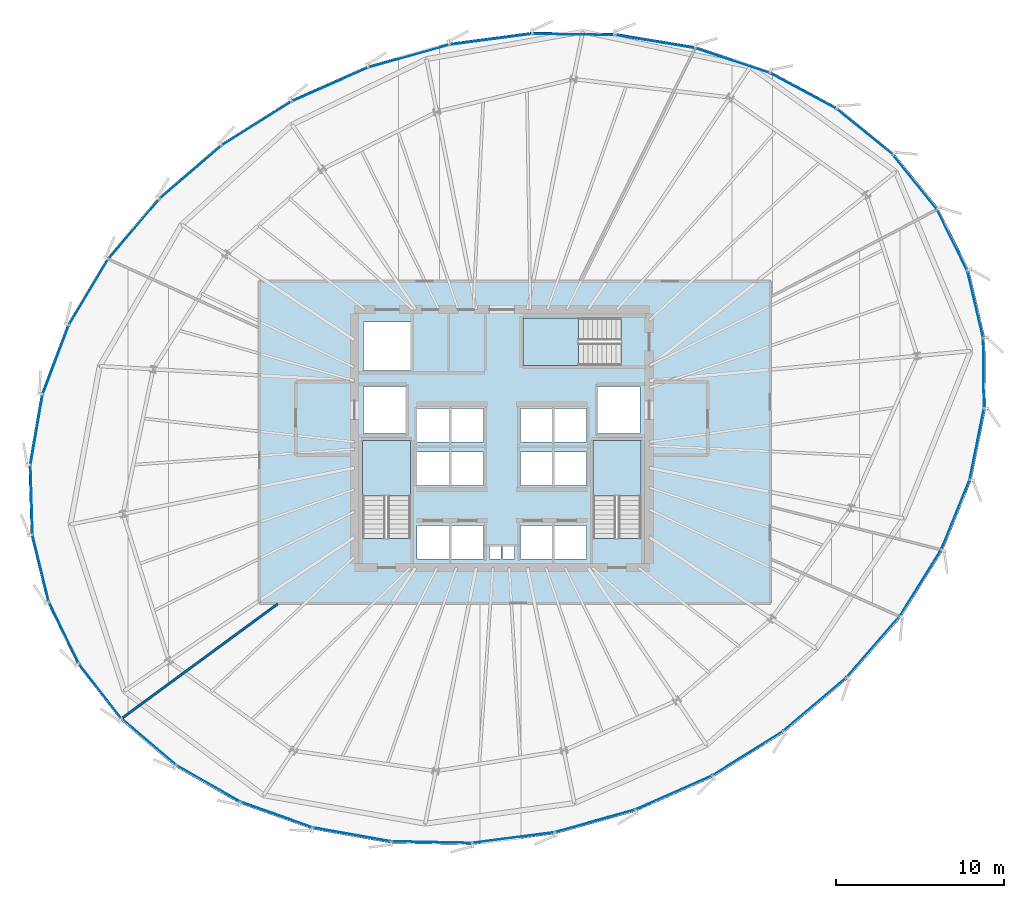
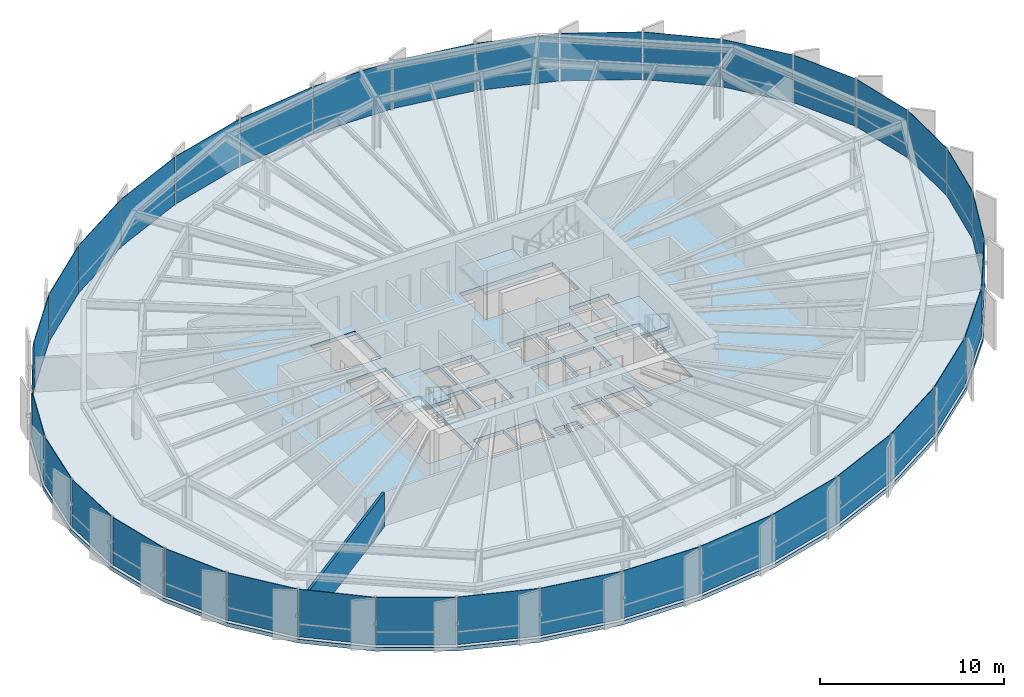
# One storey, part 26 of 33: 36 plates, 4 slabs, 1 wall, 9 elements without a shape of their own.
"""IFC4 building model written with IfcOpenShell, lengths in metres."""

from ifc_helpers import new_model, si_unit, direction, frame, frame_2d, origin, origin_2d, place, context, subcontext, project, spatial, polyline, rectangle, outline, extrude, source, transform, mapped, material, layer, layer_set, type_object, element, aggregate, save


model = new_model("IFC4")

# Units and contexts
model_context = context("Model", 3, precision=1e-05, world=origin(), true_north=direction((0.0, 1.0)))
body_context = subcontext(model_context, "Body", "Model", "MODEL_VIEW")
ifc_project = project(units=[si_unit("LENGTHUNIT", "METRE"), si_unit("AREAUNIT", "SQUARE_METRE"), si_unit("VOLUMEUNIT", "CUBIC_METRE"), si_unit("PLANEANGLEUNIT", "RADIAN"), si_unit("MASSUNIT", "GRAM", prefix="KILO"), si_unit("THERMODYNAMICTEMPERATUREUNIT", "KELVIN")], contexts=[model_context])

# Site, building, storey
site_placement = place(None, origin())
site = spatial("IfcSite", under=ifc_project, at=site_placement, CompositionType="ELEMENT")
building_placement = place(site_placement, origin())
building = spatial("IfcBuilding", under=site, at=building_placement, Name="Kethvar Cultural Tower", CompositionType="ELEMENT")
storey_placement = place(building_placement, frame((0.0, 0.0, 114.39990234375)))
storey = spatial("IfcBuildingStorey", under=building, at=storey_placement, Name="L28", CompositionType="ELEMENT", Elevation=114.39990234375)

# Stair, slab
ifc_material_1 = material(Name="Concrete C40/50", Category="concrete")
stair_type = type_object("IfcStairType", Name="ST-DOGLEG-135", PredefinedType="HALF_TURN_STAIR", material=ifc_material_1)
stair_1_placement = place(storey_placement, origin())
stair_1 = element("IfcStair", 1, at=stair_1_placement, inside=storey, type_object=stair_type, Name="L28 Core Exit Stair 1", PredefinedType="HALF_TURN_STAIR")
ifc_layer_1 = layer(ifc_material_1, 0.199951171875, Name="Concrete C40/50", Category="concrete")
ifc_layer_set_1 = layer_set([ifc_layer_1], Name="Concrete C40/50 (200 mm)")
slab_type_1 = type_object("IfcSlabType", Name="SL-STAIR-LANDING-200", PredefinedType="LANDING", material=ifc_layer_set_1)
slab_1_placement = place(storey_placement, frame((0.0, 0.0, 1.60009765625)))
slab_1 = element("IfcSlab", 2, at=slab_1_placement, type_object=slab_type_1, Name="ST-01 landing 1", PredefinedType="LANDING", context=body_context, shape_type="SweptSolid", body=[
    extrude(outline(polyline([(41.35009765625, 24.3701171875), (41.35009765625, 27.699951171875), (38.489990234375, 27.699951171875), (38.489990234375, 24.3701171875), (41.35009765625, 24.3701171875)])), origin(), (0.0, 0.0, 1.0), 0.199951171875),
])
aggregate(stair_1, [slab_1])

stair_2_placement = place(storey_placement, origin())
stair_2 = element("IfcStair", 3, at=stair_2_placement, inside=storey, type_object=stair_type, Name="L28 Core Exit Stair 2", PredefinedType="HALF_TURN_STAIR")
slab_2_placement = place(storey_placement, frame((0.0, 0.0, 1.60009765625)))
slab_2 = element("IfcSlab", 4, at=slab_2_placement, type_object=slab_type_1, Name="ST-02 landing 1", PredefinedType="LANDING", context=body_context, shape_type="SweptSolid", body=[
    extrude(outline(polyline([(55.110107421875, 24.3701171875), (55.110107421875, 27.699951171875), (52.25, 27.699951171875), (52.25, 24.3701171875), (55.110107421875, 24.3701171875)])), origin(), (0.0, 0.0, 1.0), 0.199951171875),
])
aggregate(stair_2, [slab_2])

stair_3_placement = place(storey_placement, origin())
stair_3 = element("IfcStair", 5, at=stair_3_placement, inside=storey, type_object=stair_type, Name="L28 Core Exit Stair 3", PredefinedType="HALF_TURN_STAIR")
slab_3_placement = place(storey_placement, frame((0.0, 0.0, 1.60009765625)))
slab_3 = element("IfcSlab", 6, at=slab_3_placement, type_object=slab_type_1, Name="ST-03 landing 1", PredefinedType="LANDING", context=body_context, shape_type="SweptSolid", body=[
    extrude(outline(polyline([(51.3798828125, 35.010009765625), (48.050048828125, 35.010009765625), (48.050048828125, 32.14990234375), (51.3798828125, 32.14990234375), (51.3798828125, 35.010009765625)])), origin(), (0.0, 0.0, 1.0), 0.199951171875),
])
aggregate(stair_3, [slab_3])

# Slab
ifc_layer_2 = layer(ifc_material_1, 0.25, Name="Concrete C40/50", Category="concrete")
ifc_layer_set_2 = layer_set([ifc_layer_2], Name="Concrete C40/50 (250 mm)")
slab_type_2 = type_object("IfcSlabType", Name="SL-TOW-250", PredefinedType="FLOOR", material=ifc_layer_set_2)
slab_4_placement = place(storey_placement, frame((0.0, 0.0, -0.25)))
element("IfcSlab", 7, at=slab_4_placement, inside=storey, type_object=slab_type_2, Name="L28 Structural Floor Slab", PredefinedType="FLOOR", context=body_context, shape_type="SweptSolid", body=[
    extrude(outline(polyline([(74.69580078125, 37.843017578125), (72.864013671875, 41.54833984375), (70.210693359375, 44.8251953125), (66.826416015625, 47.57763671875), (62.830078125, 49.727783203125), (58.35986328125, 51.216552734375), (53.56689453125, 52.004150390625), (48.607177734375, 52.0703125), (43.633544921875, 51.41357421875), (38.7890625, 50.05126953125), (34.197509765625, 48.016357421875), (29.98876953125, 45.3671875), (26.290771484375, 42.18408203125), (23.216064453125, 38.564208984375), (20.85791015625, 34.616943359375), (19.287841796875, 30.462646484375), (18.553955078125, 26.2275390625), (18.677978515625, 22.040283203125), (19.65673828125, 18.02783203125), (21.460205078125, 14.3125), (24.03369140625, 11.0068359375), (27.298828125, 8.21142578125), (31.156494140625, 6.01123046875), (35.489501953125, 4.47314453125), (40.166015625, 3.643798828125), (45.044189453125, 3.54833984375), (49.975830078125, 4.18994140625), (54.810791015625, 5.548583984375), (59.412109375, 7.587158203125), (63.662841796875, 10.25146484375), (67.4423828125, 13.4638671875), (70.63330078125, 17.125732421875), (73.12890625, 21.122314453125), (74.83740234375, 25.326416015625), (75.6904296875, 29.6044921875), (75.646240234375, 33.820556640625), (74.69580078125, 37.843017578125)]), holes=[polyline([(38.489990234375, 21.85009765625), (38.489990234375, 27.699951171875), (41.35009765625, 27.699951171875), (41.35009765625, 21.85009765625), (38.489990234375, 21.85009765625)]), polyline([(52.25, 21.85009765625), (52.25, 27.699951171875), (55.110107421875, 27.699951171875), (55.110107421875, 21.85009765625), (52.25, 21.85009765625)]), polyline([(53.89990234375, 32.14990234375), (48.050048828125, 32.14990234375), (48.050048828125, 35.010009765625), (53.89990234375, 35.010009765625), (53.89990234375, 32.14990234375)]), polyline([(41.75, 22.60009765625), (43.64990234375, 22.60009765625), (43.64990234375, 20.60009765625), (41.75, 20.60009765625), (41.75, 22.60009765625)]), polyline([(43.800048828125, 22.60009765625), (45.699951171875, 22.60009765625), (45.699951171875, 20.60009765625), (43.800048828125, 20.60009765625), (43.800048828125, 22.60009765625)]), polyline([(47.89990234375, 22.60009765625), (49.800048828125, 22.60009765625), (49.800048828125, 20.60009765625), (47.89990234375, 20.60009765625), (47.89990234375, 22.60009765625)]), polyline([(49.949951171875, 22.60009765625), (51.85009765625, 22.60009765625), (51.85009765625, 20.60009765625), (49.949951171875, 20.60009765625), (49.949951171875, 22.60009765625)]), polyline([(41.75, 27.0), (43.64990234375, 27.0), (43.64990234375, 25.0), (41.75, 25.0), (41.75, 27.0)]), polyline([(43.800048828125, 27.0), (45.699951171875, 27.0), (45.699951171875, 25.0), (43.800048828125, 25.0), (43.800048828125, 27.0)]), polyline([(47.89990234375, 27.0), (49.800048828125, 27.0), (49.800048828125, 25.0), (47.89990234375, 25.0), (47.89990234375, 27.0)]), polyline([(49.949951171875, 27.0), (51.85009765625, 27.0), (51.85009765625, 25.0), (49.949951171875, 25.0), (49.949951171875, 27.0)]), polyline([(41.75, 29.60009765625), (43.64990234375, 29.60009765625), (43.64990234375, 27.60009765625), (41.75, 27.60009765625), (41.75, 29.60009765625)]), polyline([(43.800048828125, 29.60009765625), (45.699951171875, 29.60009765625), (45.699951171875, 27.60009765625), (43.800048828125, 27.60009765625), (43.800048828125, 29.60009765625)]), polyline([(47.89990234375, 29.60009765625), (49.800048828125, 29.60009765625), (49.800048828125, 27.60009765625), (47.89990234375, 27.60009765625), (47.89990234375, 29.60009765625)]), polyline([(49.949951171875, 29.60009765625), (51.85009765625, 29.60009765625), (51.85009765625, 27.60009765625), (49.949951171875, 27.60009765625), (49.949951171875, 29.60009765625)]), polyline([(38.550048828125, 30.89990234375), (41.050048828125, 30.89990234375), (41.050048828125, 28.10009765625), (38.550048828125, 28.10009765625), (38.550048828125, 30.89990234375)]), polyline([(52.550048828125, 30.89990234375), (55.050048828125, 30.89990234375), (55.050048828125, 28.10009765625), (52.550048828125, 28.10009765625), (52.550048828125, 30.89990234375)]), polyline([(38.550048828125, 34.75), (41.35009765625, 34.75), (41.35009765625, 31.85009765625), (38.550048828125, 31.85009765625), (38.550048828125, 34.75)]), polyline([(46.050048828125, 21.35009765625), (46.75, 21.35009765625), (46.75, 20.60009765625), (46.050048828125, 20.60009765625), (46.050048828125, 21.35009765625)]), polyline([(46.85009765625, 21.35009765625), (47.550048828125, 21.35009765625), (47.550048828125, 20.60009765625), (46.85009765625, 20.60009765625), (46.85009765625, 21.35009765625)])]), origin(), (0.0, 0.0, 1.0), 0.25),
])

# Curtain wall, plate
ifc_material_2 = material(Name="Aluminium 6063-T6", Category="aluminium")
ifc_layer_3 = layer(ifc_material_2, 0.179931640625, Name="Aluminium 6063-T6", Category="aluminium")
ifc_layer_set_3 = layer_set([ifc_layer_3], Name="Aluminium 6063-T6 (180 mm)")
curtain_wall_type = type_object("IfcCurtainWallType", Name="CW-SYS-03-Z2", PredefinedType="NOTDEFINED", material=ifc_layer_set_3)
curtain_wall_1_placement = place(storey_placement, origin())
curtain_wall_1 = element("IfcCurtainWall", 8, at=curtain_wall_1_placement, inside=storey, type_object=curtain_wall_type, Name="L28 Curtain Wall Run 01", PredefinedType="NOTDEFINED")
ifc_material_3 = material(Name="Insulated Low-E Solar Glass", Category="glass")
ifc_layer_4 = layer(ifc_material_3, 0.031982421875, Name="Insulated Low-E Solar Glass", Category="glass")
ifc_layer_set_4 = layer_set([ifc_layer_4], Name="Insulated Low-E Solar Glass (32 mm)")
plate_type = type_object("IfcPlateType", Name="CW-SYS-03-Z2-PNL", PredefinedType="CURTAIN_PANEL", material=ifc_layer_set_4)
shared_shape_1 = source(origin(), body_context, "Body", "SweptSolid", [
    extrude(rectangle(XDim=4.27587890625, YDim=0.031982421875, at=origin_2d()), origin(), (0.0, 0.0, 1.0), 3.14990234375),
])
plate_1_placement = place(storey_placement, frame((68.446044921875, 46.112060546875, 0.10009765625), z_axis=(0.0, 0.0, 1.0), x_axis=(-0.775771148967, 0.631014361508, 0.0)))
plate_1 = element("IfcPlate", 9, at=plate_1_placement, type_object=plate_type, Name="CW-L28-R01 Vision Glazing Panel 3", PredefinedType="CURTAIN_PANEL", context=body_context, shape_type="MappedRepresentation", body=[
    mapped(shared_shape_1, transform((0.0, 0.0, 0.0), scale=1.0)),
])

curtain_wall_2_placement = place(storey_placement, origin())
curtain_wall_2 = element("IfcCurtainWall", 10, at=curtain_wall_2_placement, inside=storey, type_object=curtain_wall_type, Name="L28 Curtain Wall Run 02", PredefinedType="NOTDEFINED")
shared_shape_2 = source(origin(), body_context, "Body", "SweptSolid", [
    extrude(rectangle(XDim=4.93603515625, YDim=0.031982421875, at=origin_2d()), origin(), (0.0, 0.0, 1.0), 3.14990234375),
])
plate_2_placement = place(storey_placement, frame((36.539794921875, 48.9287109375, 0.10009765625), z_axis=(0.0, 0.0, 1.0), x_axis=(-0.914239812568, -0.405173500016, 0.0)))
plate_2 = element("IfcPlate", 11, at=plate_2_placement, type_object=plate_type, Name="CW-L28-R02 Vision Glazing Panel 4", PredefinedType="CURTAIN_PANEL", context=body_context, shape_type="MappedRepresentation", body=[
    mapped(shared_shape_2, transform((0.0, 0.0, 0.0), scale=1.0)),
])

# Plate
shared_shape_3 = source(origin(), body_context, "Body", "SweptSolid", [
    extrude(rectangle(XDim=4.046875, YDim=0.031982421875, at=origin_2d()), origin(), (0.0, 0.0, 1.0), 3.14990234375),
])
plate_3_placement = place(storey_placement, frame((73.677001953125, 39.644775390625, 0.10009765625), z_axis=(0.0, 0.0, 1.0), x_axis=(-0.443180713997, 0.896432292335, 0.0)))
plate_3 = element("IfcPlate", 12, at=plate_3_placement, type_object=plate_type, Name="CW-L28-R01 Vision Glazing Panel 1", PredefinedType="CURTAIN_PANEL", context=body_context, shape_type="MappedRepresentation", body=[
    mapped(shared_shape_3, transform((0.0, 0.0, 0.0), scale=1.0)),
])

# Curtain wall, plate
curtain_wall_3_placement = place(storey_placement, origin())
curtain_wall_3 = element("IfcCurtainWall", 13, at=curtain_wall_3_placement, inside=storey, type_object=curtain_wall_type, Name="L28 Curtain Wall Run 06", PredefinedType="NOTDEFINED")
plate_4_placement = place(storey_placement, frame((75.05908203125, 35.805419921875, 0.10009765625), z_axis=(0.0, 0.0, 1.0), x_axis=(-0.229947824874, 0.973202958193, 0.0)))
plate_4 = element("IfcPlate", 14, at=plate_4_placement, type_object=plate_type, Name="CW-L28-R06 Vision Glazing Panel 6", PredefinedType="CURTAIN_PANEL", context=body_context, shape_type="MappedRepresentation", body=[
    mapped(shared_shape_3, transform((0.0, 0.0, 0.0), scale=1.0)),
])

# Plate
shared_shape_4 = source(origin(), body_context, "Body", "SweptSolid", [
    extrude(rectangle(XDim=4.1298828125, YDim=0.031982421875, at=origin_2d()), origin(), (0.0, 0.0, 1.0), 3.14990234375),
])
plate_5_placement = place(storey_placement, frame((71.447998046875, 43.114501953125, 0.10009765625), z_axis=(0.0, 0.0, 1.0), x_axis=(-0.62933395471, 0.777134977626, 0.0)))
plate_5 = element("IfcPlate", 15, at=plate_5_placement, type_object=plate_type, Name="CW-L28-R01 Vision Glazing Panel 2", PredefinedType="CURTAIN_PANEL", context=body_context, shape_type="MappedRepresentation", body=[
    mapped(shared_shape_4, transform((0.0, 0.0, 0.0), scale=1.0)),
])

plate_6_placement = place(storey_placement, frame((75.553466796875, 31.711181640625, 0.10009765625), z_axis=(0.0, 0.0, 1.0), x_axis=(-0.010454331779, 0.99994535198, 0.0)))
plate_6 = element("IfcPlate", 16, at=plate_6_placement, type_object=plate_type, Name="CW-L28-R06 Vision Glazing Panel 5", PredefinedType="CURTAIN_PANEL", context=body_context, shape_type="MappedRepresentation", body=[
    mapped(shared_shape_4, transform((0.0, 0.0, 0.0), scale=1.0)),
])

shared_shape_5 = source(origin(), body_context, "Body", "SweptSolid", [
    extrude(rectangle(XDim=4.45166015625, YDim=0.031982421875, at=origin_2d()), origin(), (0.0, 0.0, 1.0), 3.14990234375),
])
plate_7_placement = place(storey_placement, frame((64.773681640625, 48.551513671875, 0.10009765625), z_axis=(0.0, 0.0, 1.0), x_axis=(-0.88062624926, 0.473811575538, 0.0)))
plate_7 = element("IfcPlate", 17, at=plate_7_placement, type_object=plate_type, Name="CW-L28-R01 Vision Glazing Panel 4", PredefinedType="CURTAIN_PANEL", context=body_context, shape_type="MappedRepresentation", body=[
    mapped(shared_shape_5, transform((0.0, 0.0, 0.0), scale=1.0)),
])

shared_shape_6 = source(origin(), body_context, "Body", "SweptSolid", [
    extrude(rectangle(XDim=4.625, YDim=0.031982421875, at=origin_2d()), origin(), (0.0, 0.0, 1.0), 3.14990234375),
])
plate_8_placement = place(storey_placement, frame((60.55859375, 50.363037109375, 0.10009765625), z_axis=(0.0, 0.0, 1.0), x_axis=(-0.948771286289, 0.315963678787, 0.0)))
plate_8 = element("IfcPlate", 18, at=plate_8_placement, type_object=plate_type, Name="CW-L28-R01 Vision Glazing Panel 5", PredefinedType="CURTAIN_PANEL", context=body_context, shape_type="MappedRepresentation", body=[
    mapped(shared_shape_6, transform((0.0, 0.0, 0.0), scale=1.0)),
])

shared_shape_7 = source(origin(), body_context, "Body", "SweptSolid", [
    extrude(rectangle(XDim=4.770751953125, YDim=0.031982421875, at=origin_2d()), origin(), (0.0, 0.0, 1.0), 3.14990234375),
])
plate_9_placement = place(storey_placement, frame((55.94482421875, 51.496826171875, 0.10009765625), z_axis=(0.0, 0.0, 1.0), x_axis=(-0.986768135885, 0.16213773775, 0.0)))
plate_9 = element("IfcPlate", 19, at=plate_9_placement, type_object=plate_type, Name="CW-L28-R01 Vision Glazing Panel 6", PredefinedType="CURTAIN_PANEL", context=body_context, shape_type="MappedRepresentation", body=[
    mapped(shared_shape_7, transform((0.0, 0.0, 0.0), scale=1.0)),
])

aggregate(curtain_wall_1, [plate_3, plate_5, plate_1, plate_7, plate_8, plate_9])

plate_10_placement = place(storey_placement, frame((68.951171875, 15.370361328125, 0.10009765625), z_axis=(0.0, 0.0, 1.0), x_axis=(0.656980590831, 0.753907489863, 0.0)))
plate_10 = element("IfcPlate", 20, at=plate_10_placement, type_object=plate_type, Name="CW-L28-R06 Vision Glazing Panel 1", PredefinedType="CURTAIN_PANEL", context=body_context, shape_type="MappedRepresentation", body=[
    mapped(shared_shape_7, transform((0.0, 0.0, 0.0), scale=1.0)),
])

shared_shape_8 = source(origin(), body_context, "Body", "SweptSolid", [
    extrude(rectangle(XDim=4.873779296875, YDim=0.031982421875, at=origin_2d()), origin(), (0.0, 0.0, 1.0), 3.14990234375),
])
plate_11_placement = place(storey_placement, frame((51.085693359375, 51.922119140625, 0.10009765625), z_axis=(0.0, 0.0, 1.0), x_axis=(-0.999911099333, 0.01333392034, 0.0)))
plate_11 = element("IfcPlate", 21, at=plate_11_placement, type_object=plate_type, Name="CW-L28-R02 Vision Glazing Panel 1", PredefinedType="CURTAIN_PANEL", context=body_context, shape_type="MappedRepresentation", body=[
    mapped(shared_shape_8, transform((0.0, 0.0, 0.0), scale=1.0)),
])

# Curtain wall, plate
curtain_wall_4_placement = place(storey_placement, origin())
curtain_wall_4 = element("IfcCurtainWall", 22, at=curtain_wall_4_placement, inside=storey, type_object=curtain_wall_type, Name="L28 Curtain Wall Run 05", PredefinedType="NOTDEFINED")
plate_12_placement = place(storey_placement, frame((65.47802734375, 11.9453125, 0.10009765625), z_axis=(0.0, 0.0, 1.0), x_axis=(0.761967989414, 0.647614687225, 0.0)))
plate_12 = element("IfcPlate", 23, at=plate_12_placement, type_object=plate_type, Name="CW-L28-R05 Vision Glazing Panel 6", PredefinedType="CURTAIN_PANEL", context=body_context, shape_type="MappedRepresentation", body=[
    mapped(shared_shape_8, transform((0.0, 0.0, 0.0), scale=1.0)),
])

# Plate
shared_shape_9 = source(origin(), body_context, "Body", "SweptSolid", [
    extrude(rectangle(XDim=4.930419921875, YDim=0.031982421875, at=origin_2d()), origin(), (0.0, 0.0, 1.0), 3.14990234375),
])
plate_13_placement = place(storey_placement, frame((46.135498046875, 51.627685546875, 0.10009765625), z_axis=(0.0, 0.0, 1.0), x_axis=(-0.991394669828, -0.130906870087, 0.0)))
plate_13 = element("IfcPlate", 24, at=plate_13_placement, type_object=plate_type, Name="CW-L28-R02 Vision Glazing Panel 2", PredefinedType="CURTAIN_PANEL", context=body_context, shape_type="MappedRepresentation", body=[
    mapped(shared_shape_9, transform((0.0, 0.0, 0.0), scale=1.0)),
])

plate_14_placement = place(storey_placement, frame((61.476318359375, 9.016845703125, 0.10009765625), z_axis=(0.0, 0.0, 1.0), x_axis=(0.847307362866, 0.531102845816, 0.0)))
plate_14 = element("IfcPlate", 25, at=plate_14_placement, type_object=plate_type, Name="CW-L28-R05 Vision Glazing Panel 5", PredefinedType="CURTAIN_PANEL", context=body_context, shape_type="MappedRepresentation", body=[
    mapped(shared_shape_9, transform((0.0, 0.0, 0.0), scale=1.0)),
])

shared_shape_10 = source(origin(), body_context, "Body", "SweptSolid", [
    extrude(rectangle(XDim=4.94580078125, YDim=0.031982421875, at=origin_2d()), origin(), (0.0, 0.0, 1.0), 3.14990234375),
])
plate_15_placement = place(storey_placement, frame((41.242431640625, 50.62158203125, 0.10009765625), z_axis=(0.0, 0.0, 1.0), x_axis=(-0.962668128417, -0.270684455649, 0.0)))
plate_15 = element("IfcPlate", 26, at=plate_15_placement, type_object=plate_type, Name="CW-L28-R02 Vision Glazing Panel 3", PredefinedType="CURTAIN_PANEL", context=body_context, shape_type="MappedRepresentation", body=[
    mapped(shared_shape_10, transform((0.0, 0.0, 0.0), scale=1.0)),
])

shared_shape_11 = source(origin(), body_context, "Body", "SweptSolid", [
    extrude(rectangle(XDim=4.88671875, YDim=0.031982421875, at=origin_2d()), origin(), (0.0, 0.0, 1.0), 3.14990234375),
])
plate_16_placement = place(storey_placement, frame((32.154296875, 46.594482421875, 0.10009765625), z_axis=(0.0, 0.0, 1.0), x_axis=(-0.846295455433, -0.532713808826, 0.0)))
plate_16 = element("IfcPlate", 27, at=plate_16_placement, type_object=plate_type, Name="CW-L28-R02 Vision Glazing Panel 5", PredefinedType="CURTAIN_PANEL", context=body_context, shape_type="MappedRepresentation", body=[
    mapped(shared_shape_11, transform((0.0, 0.0, 0.0), scale=1.0)),
])

plate_17_placement = place(storey_placement, frame((47.4951171875, 3.983154296875, 0.10009765625), z_axis=(0.0, 0.0, 1.0), x_axis=(0.991646417128, 0.128985981398, 0.0)))
plate_17 = element("IfcPlate", 28, at=plate_17_placement, type_object=plate_type, Name="CW-L28-R05 Vision Glazing Panel 2", PredefinedType="CURTAIN_PANEL", context=body_context, shape_type="MappedRepresentation", body=[
    mapped(shared_shape_11, transform((0.0, 0.0, 0.0), scale=1.0)),
])

shared_shape_12 = source(origin(), body_context, "Body", "SweptSolid", [
    extrude(rectangle(XDim=4.792724609375, YDim=0.031982421875, at=origin_2d()), origin(), (0.0, 0.0, 1.0), 3.14990234375),
])
plate_18_placement = place(storey_placement, frame((28.214599609375, 43.6884765625, 0.10009765625), z_axis=(0.0, 0.0, 1.0), x_axis=(-0.75790666473, -0.652363002904, 0.0)))
plate_18 = element("IfcPlate", 29, at=plate_18_placement, type_object=plate_type, Name="CW-L28-R02 Vision Glazing Panel 6", PredefinedType="CURTAIN_PANEL", context=body_context, shape_type="MappedRepresentation", body=[
    mapped(shared_shape_12, transform((0.0, 0.0, 0.0), scale=1.0)),
])

aggregate(curtain_wall_2, [plate_11, plate_13, plate_15, plate_2, plate_16, plate_18])

plate_19_placement = place(storey_placement, frame((42.607421875, 3.711181640625, 0.10009765625), z_axis=(0.0, 0.0, 1.0), x_axis=(0.999808950038, -0.019546442745, 0.0)))
plate_19 = element("IfcPlate", 30, at=plate_19_placement, type_object=plate_type, Name="CW-L28-R05 Vision Glazing Panel 1", PredefinedType="CURTAIN_PANEL", context=body_context, shape_type="MappedRepresentation", body=[
    mapped(shared_shape_12, transform((0.0, 0.0, 0.0), scale=1.0)),
])

# Curtain wall, plate
curtain_wall_5_placement = place(storey_placement, origin())
curtain_wall_5 = element("IfcCurtainWall", 31, at=curtain_wall_5_placement, inside=storey, type_object=curtain_wall_type, Name="L28 Curtain Wall Run 03", PredefinedType="NOTDEFINED")
shared_shape_13 = source(origin(), body_context, "Body", "SweptSolid", [
    extrude(rectangle(XDim=4.6630859375, YDim=0.031982421875, at=origin_2d()), origin(), (0.0, 0.0, 1.0), 3.14990234375),
])
plate_20_placement = place(storey_placement, frame((24.841064453125, 40.299560546875, 0.10009765625), z_axis=(0.0, 0.0, 1.0), x_axis=(-0.647361973467, -0.762182704677, 0.0)))
plate_20 = element("IfcPlate", 32, at=plate_20_placement, type_object=plate_type, Name="CW-L28-R03 Vision Glazing Panel 1", PredefinedType="CURTAIN_PANEL", context=body_context, shape_type="MappedRepresentation", body=[
    mapped(shared_shape_13, transform((0.0, 0.0, 0.0), scale=1.0)),
])

curtain_wall_6_placement = place(storey_placement, origin())
curtain_wall_6 = element("IfcCurtainWall", 33, at=curtain_wall_6_placement, inside=storey, type_object=curtain_wall_type, Name="L28 Curtain Wall Run 04", PredefinedType="NOTDEFINED")
plate_21_placement = place(storey_placement, frame((37.847900390625, 4.171630859375, 0.10009765625), z_axis=(0.0, 0.0, 1.0), x_axis=(0.984637561639, -0.174610630289, 0.0)))
plate_21 = element("IfcPlate", 34, at=plate_21_placement, type_object=plate_type, Name="CW-L28-R04 Vision Glazing Panel 6", PredefinedType="CURTAIN_PANEL", context=body_context, shape_type="MappedRepresentation", body=[
    mapped(shared_shape_13, transform((0.0, 0.0, 0.0), scale=1.0)),
])

# Plate
shared_shape_14 = source(origin(), body_context, "Body", "SweptSolid", [
    extrude(rectangle(XDim=4.51171875, YDim=0.031982421875, at=origin_2d()), origin(), (0.0, 0.0, 1.0), 3.14990234375),
])
plate_22_placement = place(storey_placement, frame((22.135498046875, 36.531494140625, 0.10009765625), z_axis=(0.0, 0.0, 1.0), x_axis=(-0.512882154152, -0.858459024038, 0.0)))
plate_22 = element("IfcPlate", 35, at=plate_22_placement, type_object=plate_type, Name="CW-L28-R03 Vision Glazing Panel 2", PredefinedType="CURTAIN_PANEL", context=body_context, shape_type="MappedRepresentation", body=[
    mapped(shared_shape_14, transform((0.0, 0.0, 0.0), scale=1.0)),
])

plate_23_placement = place(storey_placement, frame((33.361572265625, 5.3505859375, 0.10009765625), z_axis=(0.0, 0.0, 1.0), x_axis=(0.942379029091, -0.334547105099, 0.0)))
plate_23 = element("IfcPlate", 36, at=plate_23_placement, type_object=plate_type, Name="CW-L28-R04 Vision Glazing Panel 5", PredefinedType="CURTAIN_PANEL", context=body_context, shape_type="MappedRepresentation", body=[
    mapped(shared_shape_14, transform((0.0, 0.0, 0.0), scale=1.0)),
])

shared_shape_15 = source(origin(), body_context, "Body", "SweptSolid", [
    extrude(rectangle(XDim=4.3544921875, YDim=0.031982421875, at=origin_2d()), origin(), (0.0, 0.0, 1.0), 3.14990234375),
])
plate_24_placement = place(storey_placement, frame((20.180419921875, 32.499267578125, 0.10009765625), z_axis=(0.0, 0.0, 1.0), x_axis=(-0.353507496721, -0.93543169166, 0.0)))
plate_24 = element("IfcPlate", 37, at=plate_24_placement, type_object=plate_type, Name="CW-L28-R03 Vision Glazing Panel 3", PredefinedType="CURTAIN_PANEL", context=body_context, shape_type="MappedRepresentation", body=[
    mapped(shared_shape_15, transform((0.0, 0.0, 0.0), scale=1.0)),
])

plate_25_placement = place(storey_placement, frame((29.28466796875, 7.211181640625, 0.10009765625), z_axis=(0.0, 0.0, 1.0), x_axis=(0.868657455403, -0.495413186314, 0.0)))
plate_25 = element("IfcPlate", 38, at=plate_25_placement, type_object=plate_type, Name="CW-L28-R04 Vision Glazing Panel 4", PredefinedType="CURTAIN_PANEL", context=body_context, shape_type="MappedRepresentation", body=[
    mapped(shared_shape_15, transform((0.0, 0.0, 0.0), scale=1.0)),
])

shared_shape_16 = source(origin(), body_context, "Body", "SweptSolid", [
    extrude(rectangle(XDim=4.2119140625, YDim=0.031982421875, at=origin_2d()), origin(), (0.0, 0.0, 1.0), 3.14990234375),
])
plate_26_placement = place(storey_placement, frame((19.0341796875, 28.325439453125, 0.10009765625), z_axis=(0.0, 0.0, 1.0), x_axis=(-0.170759828185, -0.985312681882, 0.0)))
plate_26 = element("IfcPlate", 39, at=plate_26_placement, type_object=plate_type, Name="CW-L28-R03 Vision Glazing Panel 4", PredefinedType="CURTAIN_PANEL", context=body_context, shape_type="MappedRepresentation", body=[
    mapped(shared_shape_16, transform((0.0, 0.0, 0.0), scale=1.0)),
])

plate_27_placement = place(storey_placement, frame((25.7412109375, 9.696533203125, 0.10009765625), z_axis=(0.0, 0.0, 1.0), x_axis=(0.759634649786, -0.650350058695, 0.0)))
plate_27 = element("IfcPlate", 40, at=plate_27_placement, type_object=plate_type, Name="CW-L28-R04 Vision Glazing Panel 3", PredefinedType="CURTAIN_PANEL", context=body_context, shape_type="MappedRepresentation", body=[
    mapped(shared_shape_16, transform((0.0, 0.0, 0.0), scale=1.0)),
])

shared_shape_17 = source(origin(), body_context, "Body", "SweptSolid", [
    extrude(rectangle(XDim=4.102783203125, YDim=0.031982421875, at=origin_2d()), origin(), (0.0, 0.0, 1.0), 3.14990234375),
])
plate_28_placement = place(storey_placement, frame((18.73095703125, 24.13720703125, 0.10009765625), z_axis=(0.0, 0.0, 1.0), x_axis=(0.02964879847, -0.999560377741, 0.0)))
plate_28 = element("IfcPlate", 41, at=plate_28_placement, type_object=plate_type, Name="CW-L28-R03 Vision Glazing Panel 5", PredefinedType="CURTAIN_PANEL", context=body_context, shape_type="MappedRepresentation", body=[
    mapped(shared_shape_17, transform((0.0, 0.0, 0.0), scale=1.0)),
])

plate_29_placement = place(storey_placement, frame((22.837646484375, 12.730224609375, 0.10009765625), z_axis=(0.0, 0.0, 1.0), x_axis=(0.614298972121, -0.789073363415, 0.0)))
plate_29 = element("IfcPlate", 42, at=plate_29_placement, type_object=plate_type, Name="CW-L28-R04 Vision Glazing Panel 2", PredefinedType="CURTAIN_PANEL", context=body_context, shape_type="MappedRepresentation", body=[
    mapped(shared_shape_17, transform((0.0, 0.0, 0.0), scale=1.0)),
])

shared_shape_18 = source(origin(), body_context, "Body", "SweptSolid", [
    extrude(rectangle(XDim=4.043701171875, YDim=0.031982421875, at=origin_2d()), origin(), (0.0, 0.0, 1.0), 3.14990234375),
])
plate_30_placement = place(storey_placement, frame((19.279296875, 20.061279296875, 0.10009765625), z_axis=(0.0, 0.0, 1.0), x_axis=(0.236973797604, -0.971516041684, 0.0)))
plate_30 = element("IfcPlate", 43, at=plate_30_placement, type_object=plate_type, Name="CW-L28-R03 Vision Glazing Panel 6", PredefinedType="CURTAIN_PANEL", context=body_context, shape_type="MappedRepresentation", body=[
    mapped(shared_shape_18, transform((0.0, 0.0, 0.0), scale=1.0)),
])

aggregate(curtain_wall_5, [plate_20, plate_22, plate_24, plate_26, plate_28, plate_30])

plate_31_placement = place(storey_placement, frame((20.662109375, 16.220458984375, 0.10009765625), z_axis=(0.0, 0.0, 1.0), x_axis=(0.43667618215, -0.899618759221, 0.0)))
plate_31 = element("IfcPlate", 44, at=plate_31_placement, type_object=plate_type, Name="CW-L28-R04 Vision Glazing Panel 1", PredefinedType="CURTAIN_PANEL", context=body_context, shape_type="MappedRepresentation", body=[
    mapped(shared_shape_18, transform((0.0, 0.0, 0.0), scale=1.0)),
])

aggregate(curtain_wall_6, [plate_31, plate_29, plate_27, plate_25, plate_23, plate_21])

shared_shape_19 = source(origin(), body_context, "Body", "SweptSolid", [
    extrude(rectangle(XDim=4.935791015625, YDim=0.031982421875, at=origin_2d()), origin(), (0.0, 0.0, 1.0), 3.14990234375),
])
plate_32_placement = place(storey_placement, frame((52.3623046875, 4.97998046875, 0.10009765625), z_axis=(0.0, 0.0, 1.0), x_axis=(0.962705913713, 0.270550039183, 0.0)))
plate_32 = element("IfcPlate", 45, at=plate_32_placement, type_object=plate_type, Name="CW-L28-R05 Vision Glazing Panel 3", PredefinedType="CURTAIN_PANEL", context=body_context, shape_type="MappedRepresentation", body=[
    mapped(shared_shape_19, transform((0.0, 0.0, 0.0), scale=1.0)),
])

shared_shape_20 = source(origin(), body_context, "Body", "SweptSolid", [
    extrude(rectangle(XDim=4.946044921875, YDim=0.031982421875, at=origin_2d()), origin(), (0.0, 0.0, 1.0), 3.14990234375),
])
plate_33_placement = place(storey_placement, frame((57.06494140625, 6.673095703125, 0.10009765625), z_axis=(0.0, 0.0, 1.0), x_axis=(0.914296376549, 0.405045844108, 0.0)))
plate_33 = element("IfcPlate", 46, at=plate_33_placement, type_object=plate_type, Name="CW-L28-R05 Vision Glazing Panel 4", PredefinedType="CURTAIN_PANEL", context=body_context, shape_type="MappedRepresentation", body=[
    mapped(shared_shape_20, transform((0.0, 0.0, 0.0), scale=1.0)),
])

aggregate(curtain_wall_4, [plate_19, plate_17, plate_32, plate_33, plate_14, plate_12])

shared_shape_21 = source(origin(), body_context, "Body", "SweptSolid", [
    extrude(rectangle(XDim=4.625244140625, YDim=0.031982421875, at=origin_2d()), origin(), (0.0, 0.0, 1.0), 3.14990234375),
])
plate_34_placement = place(storey_placement, frame((71.783447265625, 19.184814453125, 0.10009765625), z_axis=(0.0, 0.0, 1.0), x_axis=(0.529638011703, 0.848223777407, 0.0)))
plate_34 = element("IfcPlate", 47, at=plate_34_placement, type_object=plate_type, Name="CW-L28-R06 Vision Glazing Panel 2", PredefinedType="CURTAIN_PANEL", context=body_context, shape_type="MappedRepresentation", body=[
    mapped(shared_shape_21, transform((0.0, 0.0, 0.0), scale=1.0)),
])

shared_shape_22 = source(origin(), body_context, "Body", "SweptSolid", [
    extrude(rectangle(XDim=4.451904296875, YDim=0.031982421875, at=origin_2d()), origin(), (0.0, 0.0, 1.0), 3.14990234375),
])
plate_35_placement = place(storey_placement, frame((73.876708984375, 23.267578125, 0.10009765625), z_axis=(0.0, 0.0, 1.0), x_axis=(0.376515322123, 0.926410390813, 0.0)))
plate_35 = element("IfcPlate", 48, at=plate_35_placement, type_object=plate_type, Name="CW-L28-R06 Vision Glazing Panel 3", PredefinedType="CURTAIN_PANEL", context=body_context, shape_type="MappedRepresentation", body=[
    mapped(shared_shape_22, transform((0.0, 0.0, 0.0), scale=1.0)),
])

shared_shape_23 = source(origin(), body_context, "Body", "SweptSolid", [
    extrude(rectangle(XDim=4.275634765625, YDim=0.031982421875, at=origin_2d()), origin(), (0.0, 0.0, 1.0), 3.14990234375),
])
plate_36_placement = place(storey_placement, frame((75.151123046875, 27.48779296875, 0.10009765625), z_axis=(0.0, 0.0, 1.0), x_axis=(0.195518251741, 0.980700062831, 0.0)))
plate_36 = element("IfcPlate", 49, at=plate_36_placement, type_object=plate_type, Name="CW-L28-R06 Vision Glazing Panel 4", PredefinedType="CURTAIN_PANEL", context=body_context, shape_type="MappedRepresentation", body=[
    mapped(shared_shape_23, transform((0.0, 0.0, 0.0), scale=1.0)),
])

aggregate(curtain_wall_3, [plate_10, plate_34, plate_35, plate_36, plate_6, plate_4])

# Wall
ifc_material_4 = material(Name="Gypsum Acoustic Partition")
ifc_layer_5 = layer(ifc_material_4, 0.14990234375, Name="Gypsum Acoustic Partition")
ifc_layer_set_5 = layer_set([ifc_layer_5], Name="Gypsum Acoustic Partition (150 mm)")
wall_type = type_object("IfcWallType", Name="WL-PART-150", PredefinedType="PARTITIONING", material=ifc_layer_set_5)
wall_placement = place(storey_placement, frame((33.422607421875, 17.9326171875, 0.0), z_axis=(0.0, 0.0, 1.0), x_axis=(-0.806068638556, -0.591822059353, 0.0)))
element("IfcWall", 50, at=wall_placement, inside=storey, type_object=wall_type, Name="L28 Radial Partition Wall 01", PredefinedType="PARTITIONING", context=body_context, shape_type="SweptSolid", body=[
    extrude(rectangle(XDim=11.449951171875, YDim=0.14990234375, at=frame_2d((5.72509765625, 0.0))), origin(), (0.0, 0.0, 1.0), 2.280029296875),
])

save(model, "model.ifc")
